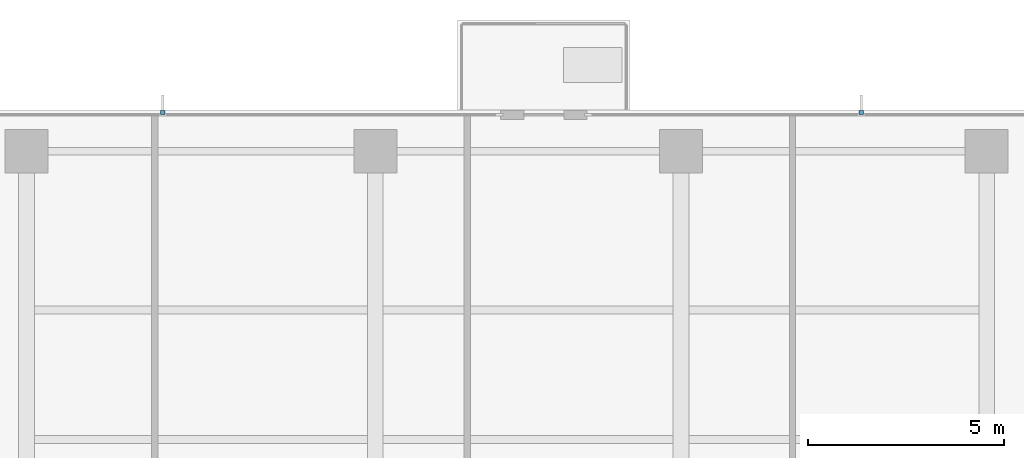
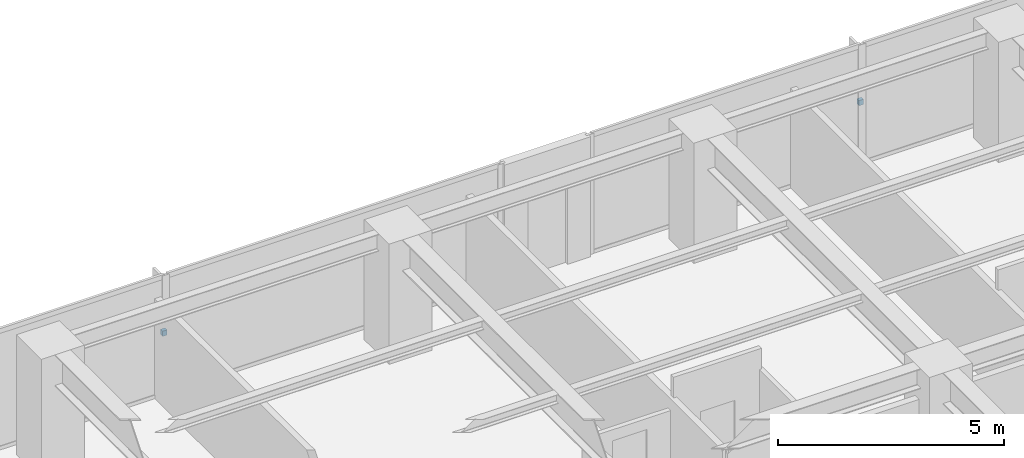
# One storey, part 14 of 16: 2 discrete accessories.
"""IFC4 building model written with IfcOpenShell, lengths in metres."""

from ifc_helpers import new_model, si_unit, direction, frame, origin, place, context, subcontext, project, spatial, polyline, outline, extrude, material, type_object, element, save


model = new_model("IFC4")

# Units and contexts
model_context = context("Model", 3, precision=1e-05, world=origin(), true_north=direction((0.0, 1.0)))
body_context = subcontext(model_context, "Body", "Model", "MODEL_VIEW")
ifc_project = project(units=[si_unit("LENGTHUNIT", "METRE"), si_unit("AREAUNIT", "SQUARE_METRE"), si_unit("VOLUMEUNIT", "CUBIC_METRE"), si_unit("PLANEANGLEUNIT", "RADIAN"), si_unit("MASSUNIT", "GRAM", prefix="KILO")], contexts=[model_context])

# Site, building, storey
site_placement = place(None, origin())
site = spatial("IfcSite", under=ifc_project, at=site_placement, CompositionType="ELEMENT")
building_placement = place(site_placement, origin())
building = spatial("IfcBuilding", under=site, at=building_placement, Name="Qalmaran Belvedere Hotel", CompositionType="ELEMENT")
storey_placement = place(building_placement, frame((0.0, 0.0, 145.60009765625)))
storey = spatial("IfcBuildingStorey", under=building, at=storey_placement, Name="L36", CompositionType="ELEMENT", Elevation=145.60009765625)

# Discrete accessories
ifc_material = material(Name="Stainless Steel 1.4401", Category="steel")
discrete_accessory_type = type_object("IfcDiscreteAccessoryType", Name="BRK-FIN-SS316", PredefinedType="BRACKET", material=ifc_material)
discrete_accessory_1_placement = place(storey_placement, frame((0.0, 0.0, 1.574951171875)))
element("IfcDiscreteAccessory", 1, at=discrete_accessory_1_placement, inside=storey, type_object=discrete_accessory_type, Name="L36 Fin Bracket 1", PredefinedType="BRACKET", context=body_context, shape_type="SweptSolid", body=[
    extrude(outline(polyline([(23.830078125, 44.39501953125), (23.830078125, 44.489990234375), (23.719970703125, 44.489990234375), (23.719970703125, 44.39501953125), (23.830078125, 44.39501953125)])), origin(), (0.0, 0.0, 1.0), 0.139892578125),
])
discrete_accessory_2_placement = place(storey_placement, frame((0.0, 0.0, 1.574951171875)))
element("IfcDiscreteAccessory", 2, at=discrete_accessory_2_placement, inside=storey, type_object=discrete_accessory_type, Name="L36 Fin Bracket 1", PredefinedType="BRACKET", context=body_context, shape_type="SweptSolid", body=[
    extrude(outline(polyline([(41.655029296875, 44.39501953125), (41.655029296875, 44.489990234375), (41.544921875, 44.489990234375), (41.544921875, 44.39501953125), (41.655029296875, 44.39501953125)])), origin(), (0.0, 0.0, 1.0), 0.139892578125),
])

save(model, "model.ifc")
